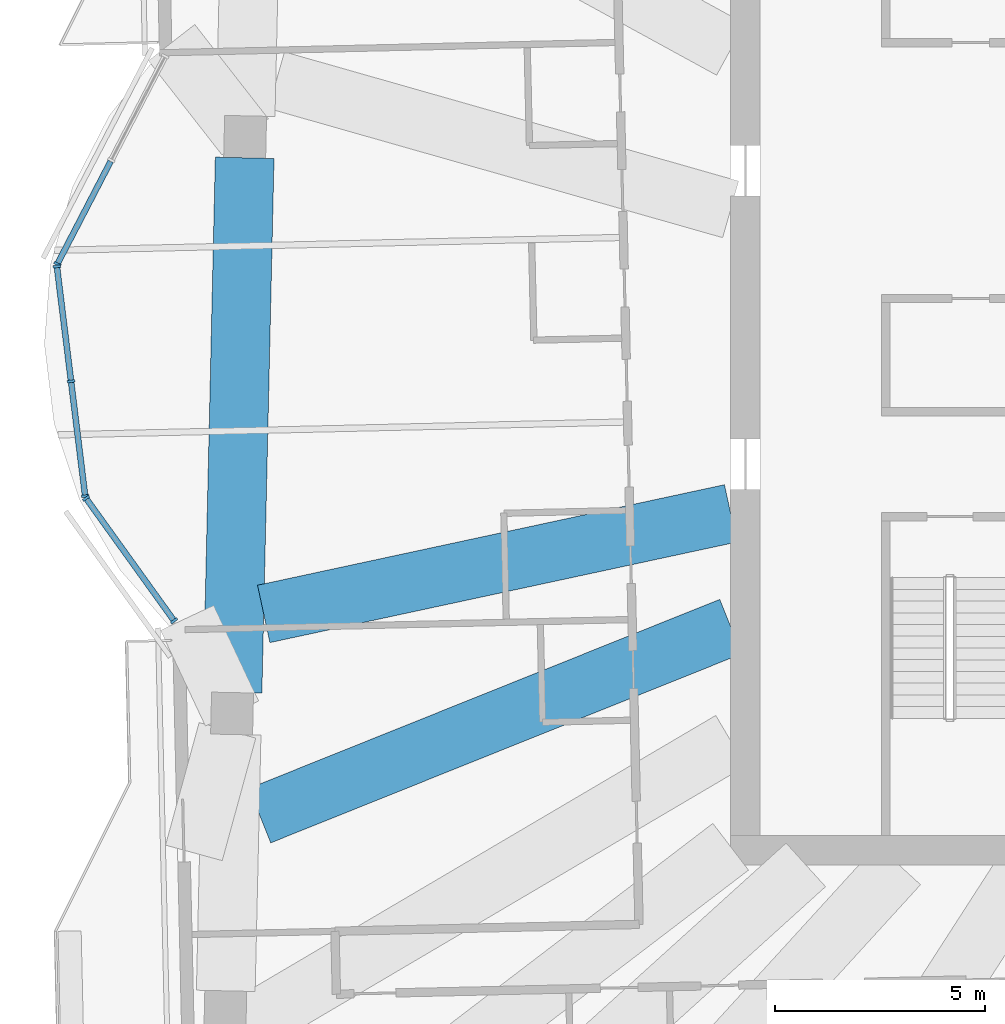
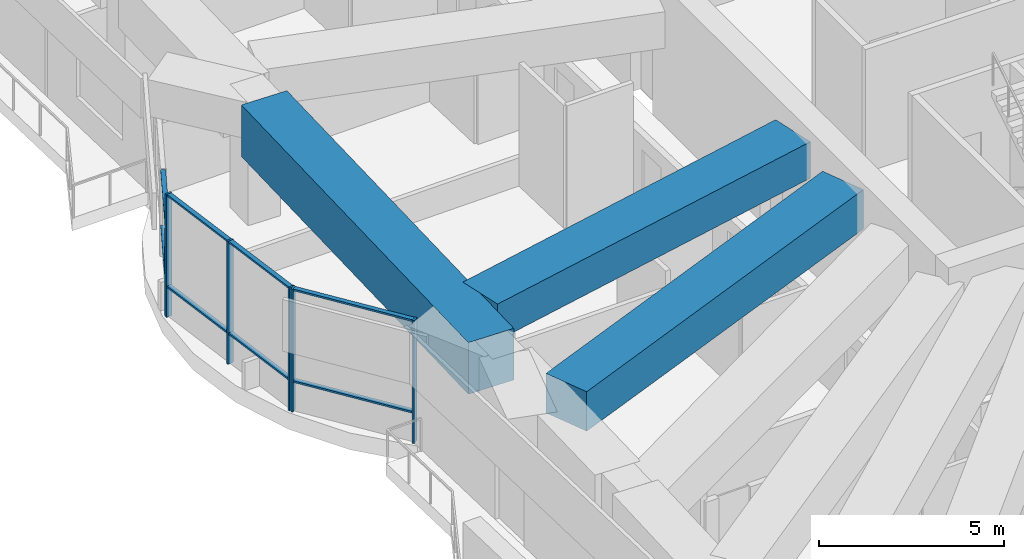
# One storey, part 2 of 21: 14 members, 3 beams, 3 elements without a shape of their own.
"""IFC4 building model written with IfcOpenShell, lengths in metres."""

import ifcopenshell
import ifcopenshell.guid

model = None  # the IFC model being written
_history = None  # IfcOwnerHistory: only IFC2X3 demands one
_inside = {}  # id of a spatial element -> (the spatial element, [elements in it])
_under = {}  # id of a project, library or spatial element -> (it, [spatial elements below it])
_declared = {}  # id of a project -> (the project, [libraries it declares])
_typed = {}  # id of a type object -> (the type object, [elements of that type])
_made_of = {}  # id of a material, layer set ... -> (it, [elements and type objects made of it])


def new_model(schema):
    """Start an empty IFC model of exactly this schema.

    Asked for "IFC4X3", IfcOpenShell would pick the latest addendum, in which some entities
    have other attributes; the version numbers below select the first issue.
    IFC2X3 requires an IfcOwnerHistory on every rooted entity: one is made here for all.
    """
    global model, _history
    if schema == "IFC4X3":
        model = ifcopenshell.file(schema_version=(4, 3, 0, 0))
    else:
        model = ifcopenshell.file(schema=schema)
    _inside.clear()
    _under.clear()
    _declared.clear()
    _typed.clear()
    _made_of.clear()
    _history = None
    if model.schema == "IFC2X3":
        org = make("IfcOrganization", Name="unknown")
        user = make(
            "IfcPersonAndOrganization",
            ThePerson=make("IfcPerson", FamilyName="unknown"),
            TheOrganization=org,
        )
        app = make(
            "IfcApplication",
            ApplicationDeveloper=org,
            Version="unknown",
            ApplicationFullName="unknown",
            ApplicationIdentifier="unknown",
        )
        _history = make(
            "IfcOwnerHistory",
            OwningUser=user,
            OwningApplication=app,
            ChangeAction="ADDED",
            CreationDate=0,
        )
    return model


def make(cls, **values):
    """One entity of the class cls with the attributes given. An attribute that is None is left unset."""
    return model.create_entity(
        cls, **{name: value for name, value in values.items() if value is not None}
    )


def rooted(cls, **values):
    """An entity with a GlobalId (a new one), such as an element, a storey or a relation."""
    return make(cls, GlobalId=ifcopenshell.guid.new(), OwnerHistory=_history, **values)


def si_unit(unit_type, name, prefix=None):
    """IfcSIUnit, for example si_unit("LENGTHUNIT", "METRE", prefix="MILLI")."""
    return make("IfcSIUnit", UnitType=unit_type, Prefix=prefix, Name=name)


def assignment(units):
    """IfcUnitAssignment: the units of a project."""
    return None if units is None else make("IfcUnitAssignment", Units=units)


def point(xyz):
    """IfcCartesianPoint."""
    return None if xyz is None else make("IfcCartesianPoint", Coordinates=xyz)


def direction(xyz):
    """IfcDirection."""
    return None if xyz is None else make("IfcDirection", DirectionRatios=xyz)


def frame(location, z_axis=None, x_axis=None):
    """IfcAxis2Placement3D, a coordinate frame: its origin and axes. An axis left out is left unset."""
    return make(
        "IfcAxis2Placement3D",
        Location=point(location),
        Axis=direction(z_axis),
        RefDirection=direction(x_axis),
    )


def frame_2d(location, x_axis=None):
    """IfcAxis2Placement2D, a coordinate frame in the plane: its origin and x axis."""
    return make(
        "IfcAxis2Placement2D", Location=point(location), RefDirection=direction(x_axis)
    )


def origin():
    """The frame at (0, 0, 0) with its axes left unset."""
    return frame((0.0, 0.0, 0.0))


def origin_2d():
    """The frame at (0, 0) in the plane with its x axis left unset."""
    return frame_2d((0.0, 0.0))


def place(relative_to, where):
    """IfcLocalPlacement: puts the frame where relative to a parent placement (None: the world)."""
    return make(
        "IfcLocalPlacement", PlacementRelTo=relative_to, RelativePlacement=where
    )


def context(
    kind, dimensions, precision=None, world=None, true_north=None, identifier=None
):
    """IfcGeometricRepresentationContext, for example the 3D "Model" context."""
    return make(
        "IfcGeometricRepresentationContext",
        ContextIdentifier=identifier,
        ContextType=kind,
        CoordinateSpaceDimension=dimensions,
        Precision=precision,
        WorldCoordinateSystem=world,
        TrueNorth=true_north,
    )


def subcontext(parent, identifier, kind, view, scale=None):
    """IfcGeometricRepresentationSubContext, for example "Body" below "Model"."""
    return make(
        "IfcGeometricRepresentationSubContext",
        ContextIdentifier=identifier,
        ContextType=kind,
        ParentContext=parent,
        TargetScale=scale,
        TargetView=view,
    )


def project(units=None, contexts=None):
    """IfcProject with its units and contexts."""
    return rooted(
        "IfcProject",
        Name="project",
        RepresentationContexts=contexts,
        UnitsInContext=assignment(units),
    )


def spatial(cls, under=None, at=None, **own):
    """A site, building, storey or space (cls), placed at a placement, below another one or the project."""
    s = rooted(cls, ObjectPlacement=at, **own)
    if under is not None:
        _under.setdefault(under.id(), (under, []))[1].append(s)
    return s


def profile(cls, at=None, kind="AREA", **sizes):
    """A parametric profile (cls). Its sizes go by their IFC names, for example OverallWidth=200.0."""
    return make(cls, ProfileType=kind, Position=at, **sizes)


def rectangle(**sizes):
    """IfcRectangleProfileDef."""
    return profile("IfcRectangleProfileDef", **sizes)


def extrude(swept, where, along, depth):
    """IfcExtrudedAreaSolid: the profile swept, set in the frame where, extruded along a direction by depth."""
    return make(
        "IfcExtrudedAreaSolid",
        SweptArea=swept,
        Position=where,
        ExtrudedDirection=direction(along),
        Depth=depth,
    )


def shape(context_of_items, identifier, shape_type, items):
    """IfcShapeRepresentation: the items that make up one representation, for example the "Body"."""
    return make(
        "IfcShapeRepresentation",
        ContextOfItems=context_of_items,
        RepresentationIdentifier=identifier,
        RepresentationType=shape_type,
        Items=items,
    )


def material(Name=None, Category=None):
    """IfcMaterial."""
    return make("IfcMaterial", Name=Name, Category=Category)


def material_profile(
    of_material, cross_section, Name=None, Category=None, Priority=None
):
    """IfcMaterialProfile: a cross section and its material."""
    return make(
        "IfcMaterialProfile",
        Name=Name,
        Material=of_material,
        Profile=cross_section,
        Priority=Priority,
        Category=Category,
    )


def profile_set(profiles, Name=None, composite=None):
    """IfcMaterialProfileSet."""
    return make(
        "IfcMaterialProfileSet",
        Name=Name,
        MaterialProfiles=profiles,
        CompositeProfile=composite,
    )


def made_of(thing, what):
    """Note that an element or type object is made of a material, layer set ...; save() writes the relation."""
    if what is not None:
        _made_of.setdefault(what.id(), (what, []))[1].append(thing)
    return thing


def type_object(cls, material=None, **own):
    """A type object (cls), such as IfcWallType, which elements share."""
    return made_of(rooted(cls, **own), material)


def element(
    cls,
    number,
    at=None,
    inside=None,
    cuts=None,
    type_object=None,
    material=None,
    context=None,
    identifier="Body",
    shape_type=None,
    held_by="IfcProductDefinitionShape",
    body=None,
    shapes=None,
    **own,
):
    """One element of the class cls, such as IfcWall. Its Tag is "e" and its number.

    at: its placement. inside: the storey or other place that contains it. cuts: it is an
    opening in that element (IfcRelVoidsElement). A single representation is given by context,
    identifier, shape_type and body (its items); several are given by shapes. held_by: the class
    of the entity that holds the representations. save() writes the other relations.
    """
    e = rooted(cls, Tag="e%d" % number, ObjectPlacement=at, **own)
    if body is not None:
        shapes = [shape(context, identifier, shape_type, body)]
    if shapes is not None:
        e.Representation = make(held_by, Representations=shapes)
    if inside is not None:
        _inside.setdefault(inside.id(), (inside, []))[1].append(e)
    if cuts is not None:
        rooted(
            "IfcRelVoidsElement", RelatingBuildingElement=cuts, RelatedOpeningElement=e
        )
    if type_object is not None:
        _typed.setdefault(type_object.id(), (type_object, []))[1].append(e)
    return made_of(e, material)


def aggregate(whole, parts):
    """IfcRelAggregates: a whole, such as a stair, and the parts it consists of."""
    return rooted("IfcRelAggregates", RelatingObject=whole, RelatedObjects=parts)


def save(model, path):
    """Write the relations noted so far, then the file.

    IfcRelAggregates (storeys below a building ...), IfcRelContainedInSpatialStructure (elements
    in a storey), IfcRelDefinesByType, IfcRelAssociatesMaterial and IfcRelDeclares: one each for
    every whole, place, type object, material and project.
    """
    for whole, parts in _under.values():
        aggregate(whole, parts)
    for where, things in _inside.values():
        rooted(
            "IfcRelContainedInSpatialStructure",
            RelatedElements=things,
            RelatingStructure=where,
        )
    for kind, things in _typed.values():
        rooted("IfcRelDefinesByType", RelatedObjects=things, RelatingType=kind)
    for what, things in _made_of.values():
        rooted("IfcRelAssociatesMaterial", RelatedObjects=things, RelatingMaterial=what)
    for by, libraries in _declared.values():
        rooted("IfcRelDeclares", RelatingContext=by, RelatedDefinitions=libraries)
    model.write(path)


model = new_model("IFC4")

# Units and contexts
model_context = context("Model", 3, precision=1e-05, world=origin(), true_north=direction((0.0, 1.0)))
body_context = subcontext(model_context, "Body", "Model", "MODEL_VIEW")
ifc_project = project(units=[si_unit("LENGTHUNIT", "METRE"), si_unit("AREAUNIT", "SQUARE_METRE"), si_unit("VOLUMEUNIT", "CUBIC_METRE"), si_unit("PLANEANGLEUNIT", "RADIAN"), si_unit("MASSUNIT", "GRAM", prefix="KILO")], contexts=[model_context])

# Site, building, storey
site_placement = place(None, origin())
site = spatial("IfcSite", under=ifc_project, at=site_placement, CompositionType="ELEMENT")
building_placement = place(site_placement, origin())
building = spatial("IfcBuilding", under=site, at=building_placement, Name="Mangrove Gate Tower", CompositionType="ELEMENT")
storey_placement = place(building_placement, frame((0.0, 0.0, 275.300048828125)))
storey = spatial("IfcBuildingStorey", under=building, at=storey_placement, Name="L70", CompositionType="ELEMENT", Elevation=275.300048828125)

# Curtain wall, member
ifc_material_1 = material(Name="Aluminium and glass curtain wall", Category="aluminium")
curtain_wall_type = type_object("IfcCurtainWallType", Name="Sky-lounge glazing wall", PredefinedType="NOTDEFINED", material=ifc_material_1)
curtain_wall_1_placement = place(storey_placement, origin())
curtain_wall_1 = element("IfcCurtainWall", 1, at=curtain_wall_1_placement, inside=storey, type_object=curtain_wall_type, Name="Sky-lounge glazing W9f1", PredefinedType="NOTDEFINED")
ifc_material_2 = material(Name="Aluminium alloy 6063-T6", Category="aluminium")
ifc_material_profile_1 = material_profile(ifc_material_2, rectangle(XDim=0.06005859375, YDim=0.179931640625, at=origin_2d()))
ifc_profile_set_1 = profile_set([ifc_material_profile_1], Name="Aluminium alloy 6063-T6")
member_type_1 = type_object("IfcMemberType", Name="Sky-lounge glazing mullion 60x180", PredefinedType="MULLION", material=ifc_profile_set_1)
member_1_placement = place(storey_placement, frame((-30.550048828125, 2.820556640625, 0.0), z_axis=(0.0, 0.0, 1.0), x_axis=(-0.460628472466, -0.887593043209, 0.0)))
member_1 = element("IfcMember", 2, at=member_1_placement, type_object=member_type_1, Name="CWK mullion 3", PredefinedType="MULLION", context=body_context, shape_type="SweptSolid", body=[
    extrude(rectangle(XDim=0.06005859375, YDim=0.179931640625, at=origin_2d()), origin(), (0.0, 0.0, 1.0), 2.849853515625),
])

# Curtain wall, members
curtain_wall_2_placement = place(storey_placement, origin())
curtain_wall_2 = element("IfcCurtainWall", 3, at=curtain_wall_2_placement, inside=storey, type_object=curtain_wall_type, Name="Sky-lounge glazing W9f2", PredefinedType="NOTDEFINED")
member_2_placement = place(storey_placement, frame((-30.560302734375, 2.76416015625, 0.0), z_axis=(0.0, 0.0, 1.0), x_axis=(0.122172285885, -0.992508908051, 0.0)))
member_2 = element("IfcMember", 4, at=member_2_placement, type_object=member_type_1, Name="CWK mullion 1", PredefinedType="MULLION", context=body_context, shape_type="SweptSolid", body=[
    extrude(rectangle(XDim=0.06005859375, YDim=0.179931640625, at=origin_2d()), origin(), (0.0, 0.0, 1.0), 4.050048828125),
])
member_3_placement = place(storey_placement, frame((-30.223388671875, 0.028076171875, 0.0), z_axis=(0.0, 0.0, 1.0), x_axis=(0.122172285885, -0.992508908051, 0.0)))
member_3 = element("IfcMember", 5, at=member_3_placement, type_object=member_type_1, Name="CWK mullion 2", PredefinedType="MULLION", context=body_context, shape_type="SweptSolid", body=[
    extrude(rectangle(XDim=0.06005859375, YDim=0.179931640625, at=origin_2d()), origin(), (0.0, 0.0, 1.0), 4.050048828125),
])
member_4_placement = place(storey_placement, frame((-29.88671875, -2.7080078125, 0.0), z_axis=(0.0, 0.0, 1.0), x_axis=(0.122172285885, -0.992508908051, 0.0)))
member_4 = element("IfcMember", 6, at=member_4_placement, type_object=member_type_1, Name="CWK mullion 3", PredefinedType="MULLION", context=body_context, shape_type="SweptSolid", body=[
    extrude(rectangle(XDim=0.06005859375, YDim=0.179931640625, at=origin_2d()), origin(), (0.0, 0.0, 1.0), 4.050048828125),
])

curtain_wall_3_placement = place(storey_placement, origin())
curtain_wall_3 = element("IfcCurtainWall", 7, at=curtain_wall_3_placement, inside=storey, type_object=curtain_wall_type, Name="Sky-lounge glazing W9f3", PredefinedType="NOTDEFINED")
member_5_placement = place(storey_placement, frame((-29.865478515625, -2.762451171875, 0.0), z_axis=(0.0, 0.0, 1.0), x_axis=(0.583720628164, -0.811954572779, 0.0)))
member_5 = element("IfcMember", 8, at=member_5_placement, type_object=member_type_1, Name="CWK mullion 1", PredefinedType="MULLION", context=body_context, shape_type="SweptSolid", body=[
    extrude(rectangle(XDim=0.06005859375, YDim=0.179931640625, at=origin_2d()), origin(), (0.0, 0.0, 1.0), 4.050048828125),
])
member_6_placement = place(storey_placement, frame((-27.767578125, -5.6806640625, 0.0), z_axis=(0.0, 0.0, 1.0), x_axis=(0.583720628164, -0.811954572779, 0.0)))
member_6 = element("IfcMember", 9, at=member_6_placement, type_object=member_type_1, Name="CWK mullion 2", PredefinedType="MULLION", context=body_context, shape_type="SweptSolid", body=[
    extrude(rectangle(XDim=0.06005859375, YDim=0.179931640625, at=origin_2d()), origin(), (0.0, 0.0, 1.0), 4.050048828125),
])

# Member
ifc_material_3 = material(Name="Aluminium alloy 6063-T6", Category="aluminium")
ifc_material_profile_2 = material_profile(ifc_material_3, rectangle(XDim=0.06005859375, YDim=0.139892578125, at=origin_2d()))
ifc_profile_set_2 = profile_set([ifc_material_profile_2], Name="Aluminium alloy 6063-T6")
member_type_2 = type_object("IfcMemberType", Name="Sky-lounge glazing transom 60x140", PredefinedType="USERDEFINED", material=ifc_profile_set_2)
member_7_placement = place(storey_placement, frame((-29.2783203125, 5.27099609375, 1.0), z_axis=(-0.460679849709, -0.887566378403, 0.0), x_axis=(0.0, 0.0, 1.0)))
member_7 = element("IfcMember", 10, at=member_7_placement, type_object=member_type_2, Name="CWK transom 2.2", ObjectType="TRANSOM", PredefinedType="USERDEFINED", context=body_context, shape_type="SweptSolid", body=[
    extrude(rectangle(XDim=0.06005859375, YDim=0.139892578125, at=origin_2d()), origin(), (0.0, 0.0, 1.0), 2.73095703125),
])

member_8_placement = place(storey_placement, frame((-29.2783203125, 5.27099609375, 2.820068359375), z_axis=(-0.460679849709, -0.887566378403, 0.0), x_axis=(0.0, 0.0, 1.0)))
member_8 = element("IfcMember", 11, at=member_8_placement, type_object=member_type_2, Name="CWK transom 2.3", ObjectType="TRANSOM", PredefinedType="USERDEFINED", context=body_context, shape_type="SweptSolid", body=[
    extrude(rectangle(XDim=0.06005859375, YDim=0.139892578125, at=origin_2d()), origin(), (0.0, 0.0, 1.0), 2.73095703125),
])

aggregate(curtain_wall_1, [member_1, member_7, member_8])

member_9_placement = place(storey_placement, frame((-30.556640625, 2.734375, 1.0), z_axis=(0.122218313927, -0.992503241174, 0.0), x_axis=(0.0, 0.0, 1.0)))
member_9 = element("IfcMember", 12, at=member_9_placement, type_object=member_type_2, Name="CWK transom 1.2", ObjectType="TRANSOM", PredefinedType="USERDEFINED", context=body_context, shape_type="SweptSolid", body=[
    extrude(rectangle(XDim=0.06005859375, YDim=0.139892578125, at=origin_2d()), origin(), (0.0, 0.0, 1.0), 2.69677734375),
])

member_10_placement = place(storey_placement, frame((-30.556640625, 2.734375, 4.02001953125), z_axis=(0.122218313927, -0.992503241174, 0.0), x_axis=(0.0, 0.0, 1.0)))
member_10 = element("IfcMember", 13, at=member_10_placement, type_object=member_type_2, Name="CWK transom 1.3", ObjectType="TRANSOM", PredefinedType="USERDEFINED", context=body_context, shape_type="SweptSolid", body=[
    extrude(rectangle(XDim=0.06005859375, YDim=0.139892578125, at=origin_2d()), origin(), (0.0, 0.0, 1.0), 2.69677734375),
])

member_11_placement = place(storey_placement, frame((-30.2197265625, -0.001708984375, 1.0), z_axis=(0.122129132669, -0.992514219018, 0.0), x_axis=(0.0, 0.0, 1.0)))
member_11 = element("IfcMember", 14, at=member_11_placement, type_object=member_type_2, Name="CWK transom 2.2", ObjectType="TRANSOM", PredefinedType="USERDEFINED", context=body_context, shape_type="SweptSolid", body=[
    extrude(rectangle(XDim=0.06005859375, YDim=0.139892578125, at=origin_2d()), origin(), (0.0, 0.0, 1.0), 2.69677734375),
])

member_12_placement = place(storey_placement, frame((-30.2197265625, -0.001708984375, 4.02001953125), z_axis=(0.122129132669, -0.992514219018, 0.0), x_axis=(0.0, 0.0, 1.0)))
member_12 = element("IfcMember", 15, at=member_12_placement, type_object=member_type_2, Name="CWK transom 2.3", ObjectType="TRANSOM", PredefinedType="USERDEFINED", context=body_context, shape_type="SweptSolid", body=[
    extrude(rectangle(XDim=0.06005859375, YDim=0.139892578125, at=origin_2d()), origin(), (0.0, 0.0, 1.0), 2.69677734375),
])

aggregate(curtain_wall_2, [member_2, member_3, member_4, member_9, member_10, member_11, member_12])

member_13_placement = place(storey_placement, frame((-29.847900390625, -2.78662109375, 1.0), z_axis=(0.583718602029, -0.811956029379, 0.0), x_axis=(0.0, 0.0, 1.0)))
member_13 = element("IfcMember", 16, at=member_13_placement, type_object=member_type_2, Name="CWK transom 1.2", ObjectType="TRANSOM", PredefinedType="USERDEFINED", context=body_context, shape_type="SweptSolid", body=[
    extrude(rectangle(XDim=0.06005859375, YDim=0.139892578125, at=origin_2d()), origin(), (0.0, 0.0, 1.0), 3.5341796875),
])

member_14_placement = place(storey_placement, frame((-29.847900390625, -2.78662109375, 4.02001953125), z_axis=(0.583718602029, -0.811956029379, 0.0), x_axis=(0.0, 0.0, 1.0)))
member_14 = element("IfcMember", 17, at=member_14_placement, type_object=member_type_2, Name="CWK transom 1.3", ObjectType="TRANSOM", PredefinedType="USERDEFINED", context=body_context, shape_type="SweptSolid", body=[
    extrude(rectangle(XDim=0.06005859375, YDim=0.139892578125, at=origin_2d()), origin(), (0.0, 0.0, 1.0), 3.5341796875),
])

aggregate(curtain_wall_3, [member_5, member_6, member_13, member_14])

# Beams
ifc_material_4 = material(Name="Concrete C50/60", Category="concrete")
ifc_material_profile_3 = material_profile(ifc_material_4, rectangle(XDim=1.39990234375, YDim=1.199951171875, at=origin_2d()))
ifc_profile_set_3 = profile_set([ifc_material_profile_3], Name="Concrete C50/60")
beam_type_1 = type_object("IfcBeamType", Name="Transfer girder RC 1400x1200 C50/60", PredefinedType="BEAM", material=ifc_profile_set_3)
beam_1_placement = place(storey_placement, frame((-14.5, -3.12158203125, 3.449951171875), z_axis=(-0.977607440914, -0.210436906149, 0.0), x_axis=(0.210436906149, -0.977607440914, 0.0)))
element("IfcBeam", 18, at=beam_1_placement, inside=storey, type_object=beam_type_1, Name="Transfer girder L70 00", PredefinedType="BEAM", context=body_context, shape_type="SweptSolid", body=[
    extrude(rectangle(XDim=1.39990234375, YDim=1.199951171875, at=origin_2d()), origin(), (0.0, 0.0, 1.0), 11.3857421875),
])
ifc_material_5 = material(Name="Concrete C50/60", Category="concrete")
ifc_material_profile_4 = material_profile(ifc_material_5, rectangle(XDim=1.39990234375, YDim=1.300048828125, at=origin_2d()))
ifc_profile_set_4 = profile_set([ifc_material_profile_4], Name="Concrete C50/60")
beam_type_2 = type_object("IfcBeamType", Name="Transfer girder RC 1400x1300 C50/60", PredefinedType="BEAM", material=ifc_profile_set_4)
beam_2_placement = place(storey_placement, frame((-14.5, -5.8203125, 3.39990234375), z_axis=(-0.928027698921, -0.372511194511, 0.0), x_axis=(0.372511194511, -0.928027698921, 0.0)))
element("IfcBeam", 19, at=beam_2_placement, inside=storey, type_object=beam_type_2, Name="Transfer girder L70 01", PredefinedType="BEAM", context=body_context, shape_type="SweptSolid", body=[
    extrude(rectangle(XDim=1.39990234375, YDim=1.300048828125, at=origin_2d()), origin(), (0.0, 0.0, 1.0), 12.09326171875),
])
ifc_material_6 = material(Name="Concrete C50/60", Category="concrete")
ifc_material_profile_5 = material_profile(ifc_material_6, rectangle(XDim=1.39990234375, YDim=1.699951171875, at=origin_2d()))
ifc_profile_set_5 = profile_set([ifc_material_profile_5], Name="Concrete C50/60")
beam_type_3 = type_object("IfcBeamType", Name="Transfer girder RC 1400x1700 C50/60", PredefinedType="BEAM", material=ifc_profile_set_5)
beam_3_placement = place(storey_placement, frame((-26.08447265625, 5.354736328125, 3.199951171875), z_axis=(-0.022689654485, -0.999742556651, 0.0), x_axis=(0.999742556651, -0.022689654485, 0.0)))
element("IfcBeam", 20, at=beam_3_placement, inside=storey, type_object=beam_type_3, Name="Transfer ring girder L70 31", PredefinedType="BEAM", context=body_context, shape_type="SweptSolid", body=[
    extrude(rectangle(XDim=1.39990234375, YDim=1.699951171875, at=origin_2d()), origin(), (0.0, 0.0, 1.0), 12.75048828125),
])

save(model, "model.ifc")
